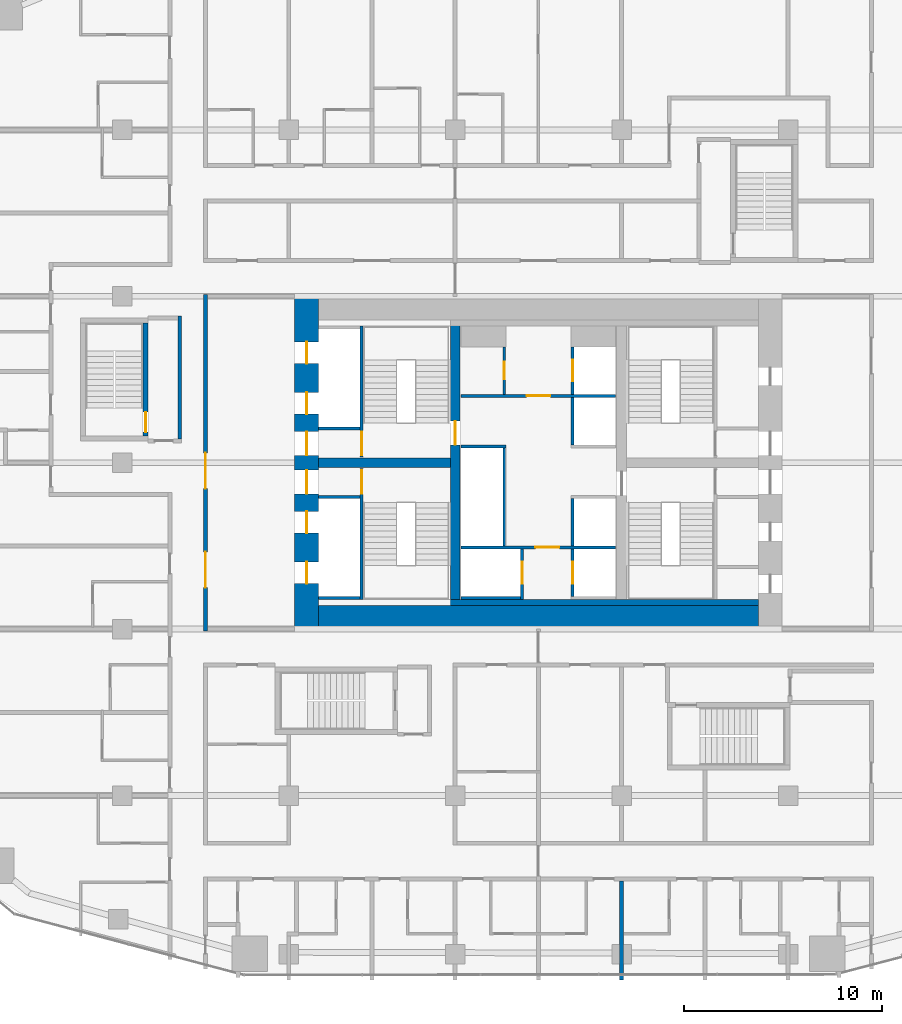
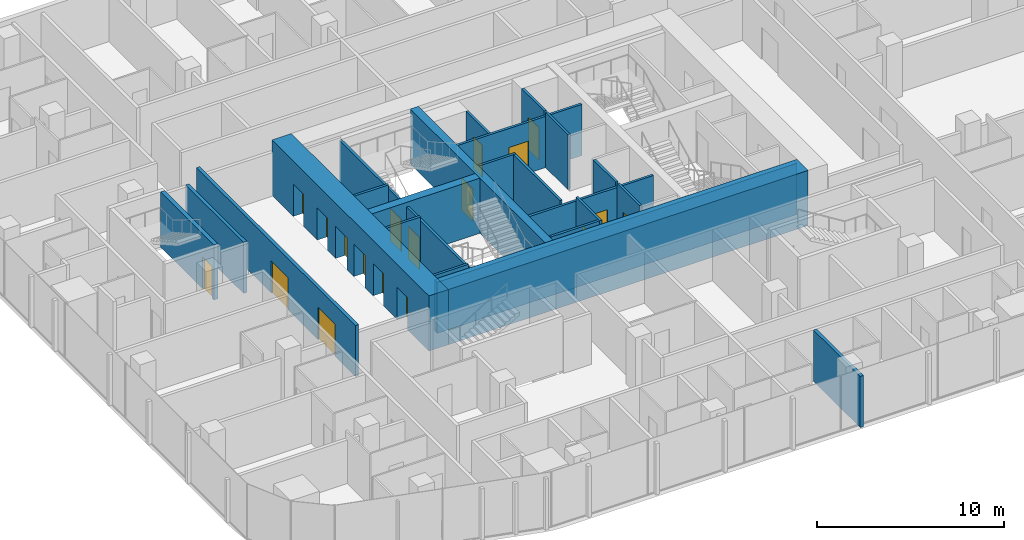
# One storey, part 18 of 26: 25 walls, 18 doors, 18 openings.
"""IFC4 building model written with IfcOpenShell, lengths in metres."""

from ifc_helpers import new_model, si_unit, direction, frame, frame_2d, origin, place, context, subcontext, project, spatial, rectangle, extrude, material, layer, layer_set, type_object, element, fill, save


model = new_model("IFC4")

# Units and contexts
model_context = context("Model", 3, precision=1e-05, world=origin(), true_north=direction((0.0, 1.0)))
body_context = subcontext(model_context, "Body", "Model", "MODEL_VIEW")
ifc_project = project(units=[si_unit("LENGTHUNIT", "METRE"), si_unit("AREAUNIT", "SQUARE_METRE"), si_unit("VOLUMEUNIT", "CUBIC_METRE"), si_unit("PLANEANGLEUNIT", "RADIAN"), si_unit("MASSUNIT", "GRAM", prefix="KILO")], contexts=[model_context])

# Site, building, storey
site_placement = place(None, origin())
site = spatial("IfcSite", under=ifc_project, at=site_placement, CompositionType="ELEMENT")
building_placement = place(site_placement, origin())
building = spatial("IfcBuilding", under=site, at=building_placement, Name="Marenta Gate Hotel Tower", CompositionType="ELEMENT")
storey_placement = place(building_placement, frame((0.0, 0.0, 43.699951171875)))
storey = spatial("IfcBuildingStorey", under=building, at=storey_placement, Name="L08", CompositionType="ELEMENT", Elevation=43.699951171875)

# Wall, openings, doors
ifc_material_1 = material(Name="Concrete blockwork", Category="masonry")
ifc_layer_1 = layer(ifc_material_1, 0.199951171875)
ifc_layer_set_1 = layer_set([ifc_layer_1], Name="Concrete blockwork")
wall_type_1 = type_object("IfcWallType", Name="Core boundary wall 200 REI 180", PredefinedType="PARTITIONING", material=ifc_layer_set_1)
wall_1_placement = place(storey_placement, frame((-16.800048828125, -0.10009765625, 0.0), z_axis=(0.0, 0.0, 1.0), x_axis=(0.0, 1.0, 0.0)))
wall_1 = element("IfcWall", 1, at=wall_1_placement, inside=storey, type_object=wall_type_1, Name="L08-CP-BW-W", PredefinedType="PARTITIONING", context=body_context, shape_type="SweptSolid", body=[
    extrude(rectangle(XDim=17.0, YDim=0.199951171875, at=frame_2d((8.5, 0.0))), origin(), (0.0, 0.0, 1.0), 3.340087890625),
])
opening_1_placement = place(wall_1_placement, frame((2.199951171875, 0.0, 0.0)))
opening_1 = element("IfcOpeningElement", 2, at=opening_1_placement, cuts=wall_1, Name="Opening ED-Wa-B", PredefinedType="OPENING", context=body_context, shape_type="SweptSolid", body=[
    extrude(rectangle(XDim=1.800048828125, YDim=2.10009765625, at=frame_2d((0.89990234375, 1.050048828125))), frame((0.0, 0.10009765625, 0.0), z_axis=(0.0, -1.0, 0.0), x_axis=(1.0, 0.0, 0.0)), (0.0, 0.0, 1.0), 0.199951171875),
])
opening_2_placement = place(wall_1_placement, frame((7.199951171875, 0.0, 0.0)))
opening_2 = element("IfcOpeningElement", 3, at=opening_2_placement, cuts=wall_1, Name="Opening ED-Wb-B", PredefinedType="OPENING", context=body_context, shape_type="SweptSolid", body=[
    extrude(rectangle(XDim=1.800048828125, YDim=2.10009765625, at=frame_2d((0.89990234375, 1.050048828125))), frame((0.0, 0.10009765625, 0.0), z_axis=(0.0, -1.0, 0.0), x_axis=(1.0, 0.0, 0.0)), (0.0, 0.0, 1.0), 0.199951171875),
])
ifc_material_2 = material(Name="Steel", Category="steel")
door_type_1 = type_object("IfcDoorType", Name="Core lobby entrance door 1800x2100 EI 60", OperationType="DOUBLE_DOOR_SINGLE_SWING", PredefinedType="DOOR", material=ifc_material_2)
door_1_placement = place(opening_1_placement, origin())
door_1 = element("IfcDoor", 4, at=door_1_placement, inside=storey, type_object=door_type_1, Name="ED-Wa-B", OperationType="DOUBLE_DOOR_SINGLE_SWING", OverallHeight=2.10009765625, OverallWidth=1.800048828125, PredefinedType="DOOR", context=body_context, shape_type="SweptSolid", body=[
    extrude(rectangle(XDim=1.800048828125, YDim=2.10009765625, at=frame_2d((0.89990234375, 1.050048828125))), frame((0.0, 0.02490234375, 0.0), z_axis=(0.0, -1.0, 0.0), x_axis=(1.0, 0.0, 0.0)), (0.0, 0.0, 1.0), 0.050048828125),
])
fill(opening_1, door_1)
door_2_placement = place(opening_2_placement, origin())
door_2 = element("IfcDoor", 5, at=door_2_placement, inside=storey, type_object=door_type_1, Name="ED-Wb-B", OperationType="DOUBLE_DOOR_SINGLE_SWING", OverallHeight=2.10009765625, OverallWidth=1.800048828125, PredefinedType="DOOR", context=body_context, shape_type="SweptSolid", body=[
    extrude(rectangle(XDim=1.800048828125, YDim=2.10009765625, at=frame_2d((0.89990234375, 1.050048828125))), frame((0.0, 0.02490234375, 0.0), z_axis=(0.0, -1.0, 0.0), x_axis=(1.0, 0.0, 0.0)), (0.0, 0.0, 1.0), 0.050048828125),
])
fill(opening_2, door_2)

# Wall
ifc_material_3 = material(Name="Concrete C40", Category="concrete")
ifc_layer_2 = layer(ifc_material_3, 0.300048828125)
ifc_layer_set_2 = layer_set([ifc_layer_2], Name="Concrete C40")
wall_type_2 = type_object("IfcWallType", Name="Core lining wall 300 REI 180", PredefinedType="PARTITIONING", material=ifc_layer_set_2)
wall_2_placement = place(storey_placement, frame((-11.10009765625, 1.35009765625, 0.0), z_axis=(0.0, 0.0, 1.0), x_axis=(1.0, 0.0, 0.0)))
element("IfcWall", 6, at=wall_2_placement, inside=storey, type_object=wall_type_2, Name="L08-CP-LN-S", PredefinedType="PARTITIONING", context=body_context, shape_type="SweptSolid", body=[
    extrude(rectangle(XDim=22.2001953125, YDim=0.300048828125, at=frame_2d((11.10009765625, 0.0))), origin(), (0.0, 0.0, 1.0), 3.340087890625),
])

# Wall, opening, door
ifc_material_4 = material(Name="Concrete blockwork", Category="masonry")
ifc_layer_3 = layer(ifc_material_4, 0.14990234375)
ifc_layer_set_3 = layer_set([ifc_layer_3], Name="Concrete blockwork")
wall_type_3 = type_object("IfcWallType", Name="Core lobby partition 150 REI 180", PredefinedType="PARTITIONING", material=ifc_layer_set_3)
wall_3_placement = place(storey_placement, frame((-3.89990234375, 4.125, 0.0), z_axis=(0.0, 0.0, 1.0), x_axis=(1.0, 0.0, 0.0)))
wall_3 = element("IfcWall", 7, at=wall_3_placement, inside=storey, type_object=wall_type_3, Name="L08-CP-CW-S", PredefinedType="PARTITIONING", context=body_context, shape_type="SweptSolid", body=[
    extrude(rectangle(XDim=7.7998046875, YDim=0.14990234375, at=frame_2d((3.89990234375, 0.0))), origin(), (0.0, 0.0, 1.0), 3.340087890625),
])
opening_3_placement = place(wall_3_placement, frame((3.75, 0.0, 0.0)))
opening_3 = element("IfcOpeningElement", 8, at=opening_3_placement, cuts=wall_3, Name="Opening FD-FFS", PredefinedType="OPENING", context=body_context, shape_type="SweptSolid", body=[
    extrude(rectangle(XDim=1.199951171875, YDim=2.10009765625, at=frame_2d((0.60009765625, 1.050048828125))), frame((0.0, 0.074951171875, 0.0), z_axis=(0.0, -1.0, 0.0), x_axis=(1.0, 0.0, 0.0)), (0.0, 0.0, 1.0), 0.14990234375),
])
ifc_material_5 = material(Name="Steel", Category="steel")
door_type_2 = type_object("IfcDoorType", Name="Core lobby door 1200x2100 FD60", OperationType="SINGLE_SWING_LEFT", PredefinedType="DOOR", material=ifc_material_5)
door_3_placement = place(opening_3_placement, origin())
door_3 = element("IfcDoor", 9, at=door_3_placement, inside=storey, type_object=door_type_2, Name="FD-FFS", OperationType="SINGLE_SWING_LEFT", OverallHeight=2.10009765625, OverallWidth=1.199951171875, PredefinedType="DOOR", context=body_context, shape_type="SweptSolid", body=[
    extrude(rectangle(XDim=1.199951171875, YDim=2.10009765625, at=frame_2d((0.60009765625, 1.050048828125))), frame((0.0, 0.02490234375, 0.0), z_axis=(0.0, -1.0, 0.0), x_axis=(1.0, 0.0, 0.0)), (0.0, 0.0, 1.0), 0.050048828125),
])
fill(opening_3, door_3)

wall_4_placement = place(storey_placement, frame((-3.89990234375, 11.77490234375, 0.0), z_axis=(0.0, 0.0, 1.0), x_axis=(1.0, 0.0, 0.0)))
wall_4 = element("IfcWall", 10, at=wall_4_placement, inside=storey, type_object=wall_type_3, Name="L08-CP-CW-N", PredefinedType="PARTITIONING", context=body_context, shape_type="SweptSolid", body=[
    extrude(rectangle(XDim=7.7998046875, YDim=0.14990234375, at=frame_2d((3.89990234375, 0.0))), origin(), (0.0, 0.0, 1.0), 3.340087890625),
])
opening_4_placement = place(wall_4_placement, frame((3.300048828125, 0.0, 0.0)))
opening_4 = element("IfcOpeningElement", 11, at=opening_4_placement, cuts=wall_4, Name="Opening FD-FFN", PredefinedType="OPENING", context=body_context, shape_type="SweptSolid", body=[
    extrude(rectangle(XDim=1.199951171875, YDim=2.10009765625, at=frame_2d((0.60009765625, 1.050048828125))), frame((0.0, 0.074951171875, 0.0), z_axis=(0.0, -1.0, 0.0), x_axis=(1.0, 0.0, 0.0)), (0.0, 0.0, 1.0), 0.14990234375),
])
door_4_placement = place(opening_4_placement, origin())
door_4 = element("IfcDoor", 12, at=door_4_placement, inside=storey, type_object=door_type_2, Name="FD-FFN", OperationType="SINGLE_SWING_LEFT", OverallHeight=2.10009765625, OverallWidth=1.199951171875, PredefinedType="DOOR", context=body_context, shape_type="SweptSolid", body=[
    extrude(rectangle(XDim=1.199951171875, YDim=2.10009765625, at=frame_2d((0.60009765625, 1.050048828125))), frame((0.0, 0.02490234375, 0.0), z_axis=(0.0, -1.0, 0.0), x_axis=(1.0, 0.0, 0.0)), (0.0, 0.0, 1.0), 0.050048828125),
])
fill(opening_4, door_4)

ifc_material_6 = material(Name="Concrete blockwork", Category="masonry")
ifc_layer_4 = layer(ifc_material_6, 0.14990234375)
ifc_layer_set_4 = layer_set([ifc_layer_4], Name="Concrete blockwork")
wall_type_4 = type_object("IfcWallType", Name="Core room partition 150 REI 180", PredefinedType="PARTITIONING", material=ifc_layer_set_4)
wall_5_placement = place(storey_placement, frame((-1.72509765625, 11.85009765625, 0.0), z_axis=(0.0, 0.0, 1.0), x_axis=(0.0, 1.0, 0.0)))
wall_5 = element("IfcWall", 13, at=wall_5_placement, inside=storey, type_object=wall_type_4, Name="L08-CP-CW-W-riser-front", PredefinedType="PARTITIONING", context=body_context, shape_type="SweptSolid", body=[
    extrude(rectangle(XDim=2.39990234375, YDim=0.14990234375, at=frame_2d((1.199951171875, 0.0))), origin(), (0.0, 0.0, 1.0), 3.340087890625),
])
opening_5_placement = place(wall_5_placement, frame((0.75, 0.0, 0.0)))
opening_5 = element("IfcOpeningElement", 14, at=opening_5_placement, cuts=wall_5, Name="Opening RD-CRISER", PredefinedType="OPENING", context=body_context, shape_type="SweptSolid", body=[
    extrude(rectangle(XDim=0.89990234375, YDim=2.10009765625, at=frame_2d((0.449951171875, 1.050048828125))), frame((0.0, 0.074951171875, 0.0), z_axis=(0.0, -1.0, 0.0), x_axis=(1.0, 0.0, 0.0)), (0.0, 0.0, 1.0), 0.14990234375),
])
ifc_material_7 = material(Name="Steel", Category="steel")
door_type_3 = type_object("IfcDoorType", Name="Core riser door 900x2100 FD60", OperationType="SINGLE_SWING_LEFT", PredefinedType="DOOR", material=ifc_material_7)
door_5_placement = place(opening_5_placement, origin())
door_5 = element("IfcDoor", 15, at=door_5_placement, inside=storey, type_object=door_type_3, Name="RD-CRISER", OperationType="SINGLE_SWING_LEFT", OverallHeight=2.10009765625, OverallWidth=0.89990234375, PredefinedType="DOOR", context=body_context, shape_type="SweptSolid", body=[
    extrude(rectangle(XDim=0.89990234375, YDim=2.10009765625, at=frame_2d((0.449951171875, 1.050048828125))), frame((0.0, 0.02490234375, 0.0), z_axis=(0.0, -1.0, 0.0), x_axis=(1.0, 0.0, 0.0)), (0.0, 0.0, 1.0), 0.050048828125),
])
fill(opening_5, door_5)

# Walls
ifc_material_8 = material(Name="Concrete C40", Category="concrete")
ifc_layer_5 = layer(ifc_material_8, 0.14990234375)
ifc_layer_set_5 = layer_set([ifc_layer_5], Name="Concrete C40")
wall_type_5 = type_object("IfcWallType", Name="Core shaft wall 150 REI 180", PredefinedType="SHEAR", material=ifc_layer_set_5)
for number, where, z_axis, x_axis, name in (
    (16, (-11.10009765625, 6.675048828125, 0.0), (0.0, 0.0, 1.0), (1.0, 0.0, 0.0), "L08-SHF-SW-WS-2"),
    (17, (-11.10009765625, 1.574951171875, 0.0), (0.0, 0.0, 1.0), (1.0, 0.0, 0.0), "L08-SHF-SW-WS-5"),
    (18, (-11.10009765625, 10.125, 0.0), (0.0, 0.0, 1.0), (1.0, 0.0, 0.0), "L08-SHF-SW-WN-2"),
):
    element("IfcWall", number, at=place(storey_placement, frame(where, z_axis=z_axis, x_axis=x_axis)), inside=storey, type_object=wall_type_5, Name=name, PredefinedType="SHEAR", context=body_context, shape_type="SweptSolid", body=[
        extrude(rectangle(XDim=2.10009765625, YDim=0.14990234375, at=frame_2d((1.050048828125, 0.0))), origin(), (0.0, 0.0, 1.0), 3.60009765625),
    ])

# Wall, opening, door
wall_6_placement = place(storey_placement, frame((-0.824951171875, 1.5, 0.0), z_axis=(0.0, 0.0, 1.0), x_axis=(0.0, 1.0, 0.0)))
wall_6 = element("IfcWall", 19, at=wall_6_placement, inside=storey, type_object=wall_type_5, Name="L08-SHF-CW-W-ff", PredefinedType="SHEAR", context=body_context, shape_type="SweptSolid", body=[
    extrude(rectangle(XDim=2.550048828125, YDim=0.14990234375, at=frame_2d((1.27490234375, 0.0))), origin(), (0.0, 0.0, 1.0), 3.60009765625),
])
opening_6_placement = place(wall_6_placement, frame((0.800048828125, 0.0, 0.0)))
opening_6 = element("IfcOpeningElement", 20, at=opening_6_placement, cuts=wall_6, Name="Opening LD-FF1", PredefinedType="OPENING", context=body_context, shape_type="SweptSolid", body=[
    extrude(rectangle(XDim=1.10009765625, YDim=2.10009765625, at=frame_2d((0.550048828125, 1.050048828125))), frame((0.0, 0.074951171875, 0.0), z_axis=(0.0, -1.0, 0.0), x_axis=(1.0, 0.0, 0.0)), (0.0, 0.0, 1.0), 0.14990234375),
])
ifc_material_9 = material(Name="Steel", Category="steel")
door_type_4 = type_object("IfcDoorType", Name="Core lift landing door 1100x2100 E 60", OperationType="SLIDING_TO_LEFT", PredefinedType="DOOR", material=ifc_material_9)
door_6_placement = place(opening_6_placement, origin())
door_6 = element("IfcDoor", 21, at=door_6_placement, inside=storey, type_object=door_type_4, Name="LD-FF1", OperationType="SLIDING_TO_LEFT", OverallHeight=2.10009765625, OverallWidth=1.10009765625, PredefinedType="DOOR", context=body_context, shape_type="SweptSolid", body=[
    extrude(rectangle(XDim=1.10009765625, YDim=2.10009765625, at=frame_2d((0.550048828125, 1.050048828125))), frame((0.0, 0.02490234375, 0.0), z_axis=(0.0, -1.0, 0.0), x_axis=(1.0, 0.0, 0.0)), (0.0, 0.0, 1.0), 0.050048828125),
])
fill(opening_6, door_6)

# Walls
wall_7_placement = place(storey_placement, frame((-3.89990234375, 1.574951171875, 0.0), z_axis=(0.0, 0.0, 1.0), x_axis=(1.0, 0.0, 0.0)))
element("IfcWall", 22, at=wall_7_placement, inside=storey, type_object=wall_type_5, Name="L08-SHF-CW-W-ffs", PredefinedType="SHEAR", context=body_context, shape_type="SweptSolid", body=[
    extrude(rectangle(XDim=3.0, YDim=0.14990234375, at=frame_2d((1.5, 0.0))), origin(), (0.0, 0.0, 1.0), 3.60009765625),
])
wall_8_placement = place(storey_placement, frame((-1.72509765625, 4.199951171875, 0.0), z_axis=(0.0, 0.0, 1.0), x_axis=(0.0, 1.0, 0.0)))
element("IfcWall", 23, at=wall_8_placement, inside=storey, type_object=wall_type_5, Name="L08-SHF-CW-W-front", PredefinedType="SHEAR", context=body_context, shape_type="SweptSolid", body=[
    extrude(rectangle(XDim=4.949951171875, YDim=0.14990234375, at=frame_2d((2.47509765625, 0.0))), origin(), (0.0, 0.0, 1.0), 3.60009765625),
])
wall_9_placement = place(storey_placement, frame((-3.89990234375, 9.22509765625, 0.0), z_axis=(0.0, 0.0, 1.0), x_axis=(1.0, 0.0, 0.0)))
element("IfcWall", 24, at=wall_9_placement, inside=storey, type_object=wall_type_5, Name="L08-SHF-CW-W-sep", PredefinedType="SHEAR", context=body_context, shape_type="SweptSolid", body=[
    extrude(rectangle(XDim=2.25, YDim=0.14990234375, at=frame_2d((1.125, 0.0))), origin(), (0.0, 0.0, 1.0), 3.60009765625),
])

# Wall, opening, door
wall_10_placement = place(storey_placement, frame((1.72509765625, 1.64990234375, 0.0), z_axis=(0.0, 0.0, 1.0), x_axis=(0.0, 1.0, 0.0)))
wall_10 = element("IfcWall", 25, at=wall_10_placement, inside=storey, type_object=wall_type_5, Name="L08-SHF-CE-S-ls", PredefinedType="SHEAR", context=body_context, shape_type="SweptSolid", body=[
    extrude(rectangle(XDim=2.400146484375, YDim=0.14990234375, at=frame_2d((1.2001953125, 0.0))), origin(), (0.0, 0.0, 1.0), 3.60009765625),
])
opening_7_placement = place(wall_10_placement, frame((0.64990234375, 0.0, 0.0)))
opening_7 = element("IfcOpeningElement", 26, at=opening_7_placement, cuts=wall_10, Name="Opening LD-SV1", PredefinedType="OPENING", context=body_context, shape_type="SweptSolid", body=[
    extrude(rectangle(XDim=1.10009765625, YDim=2.10009765625, at=frame_2d((0.550048828125, 1.050048828125))), frame((0.0, 0.074951171875, 0.0), z_axis=(0.0, -1.0, 0.0), x_axis=(1.0, 0.0, 0.0)), (0.0, 0.0, 1.0), 0.14990234375),
])
door_7_placement = place(opening_7_placement, origin())
door_7 = element("IfcDoor", 27, at=door_7_placement, inside=storey, type_object=door_type_4, Name="LD-SV1", OperationType="SLIDING_TO_LEFT", OverallHeight=2.10009765625, OverallWidth=1.10009765625, PredefinedType="DOOR", context=body_context, shape_type="SweptSolid", body=[
    extrude(rectangle(XDim=1.10009765625, YDim=2.10009765625, at=frame_2d((0.550048828125, 1.050048828125))), frame((0.0, 0.02490234375, 0.0), z_axis=(0.0, -1.0, 0.0), x_axis=(1.0, 0.0, 0.0)), (0.0, 0.0, 1.0), 0.050048828125),
])
fill(opening_7, door_7)

wall_11_placement = place(storey_placement, frame((1.72509765625, 11.85009765625, 0.0), z_axis=(0.0, 0.0, 1.0), x_axis=(0.0, 1.0, 0.0)))
wall_11 = element("IfcWall", 28, at=wall_11_placement, inside=storey, type_object=wall_type_5, Name="L08-SHF-CE-N-front2", PredefinedType="SHEAR", context=body_context, shape_type="SweptSolid", body=[
    extrude(rectangle(XDim=2.39990234375, YDim=0.14990234375, at=frame_2d((1.199951171875, 0.0))), origin(), (0.0, 0.0, 1.0), 3.60009765625),
])
opening_8_placement = place(wall_11_placement, frame((0.64990234375, 0.0, 0.0)))
opening_8 = element("IfcOpeningElement", 29, at=opening_8_placement, cuts=wall_11, Name="Opening LD-FF2", PredefinedType="OPENING", context=body_context, shape_type="SweptSolid", body=[
    extrude(rectangle(XDim=1.10009765625, YDim=2.10009765625, at=frame_2d((0.550048828125, 1.050048828125))), frame((0.0, 0.074951171875, 0.0), z_axis=(0.0, -1.0, 0.0), x_axis=(1.0, 0.0, 0.0)), (0.0, 0.0, 1.0), 0.14990234375),
])
door_8_placement = place(opening_8_placement, origin())
door_8 = element("IfcDoor", 30, at=door_8_placement, inside=storey, type_object=door_type_4, Name="LD-FF2", OperationType="SLIDING_TO_LEFT", OverallHeight=2.10009765625, OverallWidth=1.10009765625, PredefinedType="DOOR", context=body_context, shape_type="SweptSolid", body=[
    extrude(rectangle(XDim=1.10009765625, YDim=2.10009765625, at=frame_2d((0.550048828125, 1.050048828125))), frame((0.0, 0.02490234375, 0.0), z_axis=(0.0, -1.0, 0.0), x_axis=(1.0, 0.0, 0.0)), (0.0, 0.0, 1.0), 0.050048828125),
])
fill(opening_8, door_8)

# Walls
wall_12_placement = place(storey_placement, frame((1.72509765625, 4.199951171875, 0.0), z_axis=(0.0, 0.0, 1.0), x_axis=(0.0, 1.0, 0.0)))
element("IfcWall", 31, at=wall_12_placement, inside=storey, type_object=wall_type_5, Name="L08-SHF-CE-front-1", PredefinedType="SHEAR", context=body_context, shape_type="SweptSolid", body=[
    extrude(rectangle(XDim=2.400146484375, YDim=0.14990234375, at=frame_2d((1.2001953125, 0.0))), origin(), (0.0, 0.0, 1.0), 3.60009765625),
])
wall_13_placement = place(storey_placement, frame((1.72509765625, 9.300048828125, 0.0), z_axis=(0.0, 0.0, 1.0), x_axis=(0.0, 1.0, 0.0)))
element("IfcWall", 32, at=wall_13_placement, inside=storey, type_object=wall_type_5, Name="L08-SHF-CE-front-2", PredefinedType="SHEAR", context=body_context, shape_type="SweptSolid", body=[
    extrude(rectangle(XDim=2.39990234375, YDim=0.14990234375, at=frame_2d((1.199951171875, 0.0))), origin(), (0.0, 0.0, 1.0), 3.60009765625),
])

# Wall, opening, door
ifc_material_10 = material(Name="Concrete C40", Category="concrete")
ifc_layer_6 = layer(ifc_material_10, 0.14990234375)
ifc_layer_set_6 = layer_set([ifc_layer_6], Name="Concrete C40")
wall_type_6 = type_object("IfcWallType", Name="Core stair enclosure wall 150 REI 180", PredefinedType="SHEAR", material=ifc_layer_set_6)
wall_14_placement = place(storey_placement, frame((-8.925048828125, 1.5, 0.0), z_axis=(0.0, 0.0, 1.0), x_axis=(0.0, 1.0, 0.0)))
wall_14 = element("IfcWall", 33, at=wall_14_placement, inside=storey, type_object=wall_type_6, Name="L08-SHF-SW-WS-3", PredefinedType="SHEAR", context=body_context, shape_type="SweptSolid", body=[
    extrude(rectangle(XDim=6.60009765625, YDim=0.14990234375, at=frame_2d((3.300048828125, 0.0))), origin(), (0.0, 0.0, 1.0), 3.340087890625),
])
opening_9_placement = place(wall_14_placement, frame((5.324951171875, 0.0, 0.0)))
opening_9 = element("IfcOpeningElement", 34, at=opening_9_placement, cuts=wall_14, Name="Opening SD-WS", PredefinedType="OPENING", context=body_context, shape_type="SweptSolid", body=[
    extrude(rectangle(XDim=1.199951171875, YDim=2.10009765625, at=frame_2d((0.60009765625, 1.050048828125))), frame((0.0, 0.074951171875, 0.0), z_axis=(0.0, -1.0, 0.0), x_axis=(1.0, 0.0, 0.0)), (0.0, 0.0, 1.0), 0.14990234375),
])
ifc_material_11 = material(Name="Steel", Category="steel")
door_type_5 = type_object("IfcDoorType", Name="Core stair door 1200x2100 FD60", OperationType="SINGLE_SWING_LEFT", PredefinedType="DOOR", material=ifc_material_11)
door_9_placement = place(opening_9_placement, origin())
door_9 = element("IfcDoor", 35, at=door_9_placement, inside=storey, type_object=door_type_5, Name="SD-WS", OperationType="SINGLE_SWING_LEFT", OverallHeight=2.10009765625, OverallWidth=1.199951171875, PredefinedType="DOOR", context=body_context, shape_type="SweptSolid", body=[
    extrude(rectangle(XDim=1.199951171875, YDim=2.10009765625, at=frame_2d((0.60009765625, 1.050048828125))), frame((0.0, 0.02490234375, 0.0), z_axis=(0.0, -1.0, 0.0), x_axis=(1.0, 0.0, 0.0)), (0.0, 0.0, 1.0), 0.050048828125),
])
fill(opening_9, door_9)

wall_15_placement = place(storey_placement, frame((-8.925048828125, 8.699951171875, 0.0), z_axis=(0.0, 0.0, 1.0), x_axis=(0.0, 1.0, 0.0)))
wall_15 = element("IfcWall", 36, at=wall_15_placement, inside=storey, type_object=wall_type_6, Name="L08-SHF-SW-WN-3", PredefinedType="SHEAR", context=body_context, shape_type="SweptSolid", body=[
    extrude(rectangle(XDim=6.60009765625, YDim=0.14990234375, at=frame_2d((3.300048828125, 0.0))), origin(), (0.0, 0.0, 1.0), 3.340087890625),
])
opening_10_placement = place(wall_15_placement, frame((0.074951171875, 0.0, 0.0)))
opening_10 = element("IfcOpeningElement", 37, at=opening_10_placement, cuts=wall_15, Name="Opening SD-WN", PredefinedType="OPENING", context=body_context, shape_type="SweptSolid", body=[
    extrude(rectangle(XDim=1.199951171875, YDim=2.10009765625, at=frame_2d((0.60009765625, 1.050048828125))), frame((0.0, 0.074951171875, 0.0), z_axis=(0.0, -1.0, 0.0), x_axis=(1.0, 0.0, 0.0)), (0.0, 0.0, 1.0), 0.14990234375),
])
door_10_placement = place(opening_10_placement, origin())
door_10 = element("IfcDoor", 38, at=door_10_placement, inside=storey, type_object=door_type_5, Name="SD-WN", OperationType="SINGLE_SWING_LEFT", OverallHeight=2.10009765625, OverallWidth=1.199951171875, PredefinedType="DOOR", context=body_context, shape_type="SweptSolid", body=[
    extrude(rectangle(XDim=1.199951171875, YDim=2.10009765625, at=frame_2d((0.60009765625, 1.050048828125))), frame((0.0, 0.02490234375, 0.0), z_axis=(0.0, -1.0, 0.0), x_axis=(1.0, 0.0, 0.0)), (0.0, 0.0, 1.0), 0.050048828125),
])
fill(opening_10, door_10)

# Wall, openings, doors
ifc_material_12 = material(Name="Concrete C80", Category="concrete")
ifc_layer_7 = layer(ifc_material_12, 1.199951171875)
ifc_layer_set_7 = layer_set([ifc_layer_7], Name="Concrete C80")
wall_type_7 = type_object("IfcWallType", Name="Core wall 1200 C80", PredefinedType="SHEAR", material=ifc_layer_set_7)
wall_16_placement = place(storey_placement, frame((-11.699951171875, 0.0, 0.0), z_axis=(0.0, 0.0, 1.0), x_axis=(0.0, 1.0, 0.0)))
wall_16 = element("IfcWall", 39, at=wall_16_placement, inside=storey, type_object=wall_type_7, Name="L08-CORE-W", PredefinedType="SHEAR", context=body_context, shape_type="SweptSolid", body=[
    extrude(rectangle(XDim=16.800048828125, YDim=1.199951171875, at=frame_2d((8.39990234375, 0.0))), origin(), (0.0, 0.0, 1.0), 3.60009765625),
])
opening_11_placement = place(wall_16_placement, frame((2.300048828125, 0.0, 0.0)))
opening_11 = element("IfcOpeningElement", 40, at=opening_11_placement, cuts=wall_16, Name="Opening LD-LR1", PredefinedType="OPENING", context=body_context, shape_type="SweptSolid", body=[
    extrude(rectangle(XDim=1.10009765625, YDim=2.10009765625, at=frame_2d((0.550048828125, 1.050048828125))), frame((0.0, 0.60009765625, 0.0), z_axis=(0.0, -1.0, 0.0), x_axis=(1.0, 0.0, 0.0)), (0.0, 0.0, 1.0), 1.199951171875),
])
opening_12_placement = place(wall_16_placement, frame((4.85009765625, 0.0, 0.0)))
opening_12 = element("IfcOpeningElement", 41, at=opening_12_placement, cuts=wall_16, Name="Opening LD-LR2", PredefinedType="OPENING", context=body_context, shape_type="SweptSolid", body=[
    extrude(rectangle(XDim=1.10009765625, YDim=2.10009765625, at=frame_2d((0.550048828125, 1.050048828125))), frame((0.0, 0.60009765625, 0.0), z_axis=(0.0, -1.0, 0.0), x_axis=(1.0, 0.0, 0.0)), (0.0, 0.0, 1.0), 1.199951171875),
])
opening_13_placement = place(wall_16_placement, frame((6.824951171875, 0.0, 0.0)))
opening_13 = element("IfcOpeningElement", 42, at=opening_13_placement, cuts=wall_16, Name="Opening PD-WS", PredefinedType="OPENING", context=body_context, shape_type="SweptSolid", body=[
    extrude(rectangle(XDim=1.199951171875, YDim=2.10009765625, at=frame_2d((0.60009765625, 1.050048828125))), frame((0.0, 0.60009765625, 0.0), z_axis=(0.0, -1.0, 0.0), x_axis=(1.0, 0.0, 0.0)), (0.0, 0.0, 1.0), 1.199951171875),
])
opening_14_placement = place(wall_16_placement, frame((13.39990234375, 0.0, 0.0)))
opening_14 = element("IfcOpeningElement", 43, at=opening_14_placement, cuts=wall_16, Name="Opening LD-LR4", PredefinedType="OPENING", context=body_context, shape_type="SweptSolid", body=[
    extrude(rectangle(XDim=1.10009765625, YDim=2.10009765625, at=frame_2d((0.550048828125, 1.050048828125))), frame((0.0, 0.60009765625, 0.0), z_axis=(0.0, -1.0, 0.0), x_axis=(1.0, 0.0, 0.0)), (0.0, 0.0, 1.0), 1.199951171875),
])
opening_15_placement = place(wall_16_placement, frame((10.85009765625, 0.0, 0.0)))
opening_15 = element("IfcOpeningElement", 44, at=opening_15_placement, cuts=wall_16, Name="Opening LD-LR3", PredefinedType="OPENING", context=body_context, shape_type="SweptSolid", body=[
    extrude(rectangle(XDim=1.10009765625, YDim=2.10009765625, at=frame_2d((0.550048828125, 1.050048828125))), frame((0.0, 0.60009765625, 0.0), z_axis=(0.0, -1.0, 0.0), x_axis=(1.0, 0.0, 0.0)), (0.0, 0.0, 1.0), 1.199951171875),
])
opening_16_placement = place(wall_16_placement, frame((8.77490234375, 0.0, 0.0)))
opening_16 = element("IfcOpeningElement", 45, at=opening_16_placement, cuts=wall_16, Name="Opening PD-WN", PredefinedType="OPENING", context=body_context, shape_type="SweptSolid", body=[
    extrude(rectangle(XDim=1.199951171875, YDim=2.10009765625, at=frame_2d((0.60009765625, 1.050048828125))), frame((0.0, 0.60009765625, 0.0), z_axis=(0.0, -1.0, 0.0), x_axis=(1.0, 0.0, 0.0)), (0.0, 0.0, 1.0), 1.199951171875),
])
door_11_placement = place(opening_11_placement, origin())
door_11 = element("IfcDoor", 46, at=door_11_placement, inside=storey, type_object=door_type_4, Name="LD-LR1", OperationType="SLIDING_TO_LEFT", OverallHeight=2.10009765625, OverallWidth=1.10009765625, PredefinedType="DOOR", context=body_context, shape_type="SweptSolid", body=[
    extrude(rectangle(XDim=1.10009765625, YDim=2.10009765625, at=frame_2d((0.550048828125, 1.050048828125))), frame((0.0, 0.02490234375, 0.0), z_axis=(0.0, -1.0, 0.0), x_axis=(1.0, 0.0, 0.0)), (0.0, 0.0, 1.0), 0.050048828125),
])
fill(opening_11, door_11)
door_12_placement = place(opening_12_placement, origin())
door_12 = element("IfcDoor", 47, at=door_12_placement, inside=storey, type_object=door_type_4, Name="LD-LR2", OperationType="SLIDING_TO_LEFT", OverallHeight=2.10009765625, OverallWidth=1.10009765625, PredefinedType="DOOR", context=body_context, shape_type="SweptSolid", body=[
    extrude(rectangle(XDim=1.10009765625, YDim=2.10009765625, at=frame_2d((0.550048828125, 1.050048828125))), frame((0.0, 0.02490234375, 0.0), z_axis=(0.0, -1.0, 0.0), x_axis=(1.0, 0.0, 0.0)), (0.0, 0.0, 1.0), 0.050048828125),
])
fill(opening_12, door_12)
door_13_placement = place(opening_14_placement, origin())
door_13 = element("IfcDoor", 48, at=door_13_placement, inside=storey, type_object=door_type_4, Name="LD-LR4", OperationType="SLIDING_TO_LEFT", OverallHeight=2.10009765625, OverallWidth=1.10009765625, PredefinedType="DOOR", context=body_context, shape_type="SweptSolid", body=[
    extrude(rectangle(XDim=1.10009765625, YDim=2.10009765625, at=frame_2d((0.550048828125, 1.050048828125))), frame((0.0, 0.02490234375, 0.0), z_axis=(0.0, -1.0, 0.0), x_axis=(1.0, 0.0, 0.0)), (0.0, 0.0, 1.0), 0.050048828125),
])
fill(opening_14, door_13)
door_14_placement = place(opening_15_placement, origin())
door_14 = element("IfcDoor", 49, at=door_14_placement, inside=storey, type_object=door_type_4, Name="LD-LR3", OperationType="SLIDING_TO_LEFT", OverallHeight=2.10009765625, OverallWidth=1.10009765625, PredefinedType="DOOR", context=body_context, shape_type="SweptSolid", body=[
    extrude(rectangle(XDim=1.10009765625, YDim=2.10009765625, at=frame_2d((0.550048828125, 1.050048828125))), frame((0.0, 0.02490234375, 0.0), z_axis=(0.0, -1.0, 0.0), x_axis=(1.0, 0.0, 0.0)), (0.0, 0.0, 1.0), 0.050048828125),
])
fill(opening_15, door_14)
door_15_placement = place(opening_13_placement, origin())
door_15 = element("IfcDoor", 50, at=door_15_placement, inside=storey, type_object=door_type_2, Name="PD-WS", OperationType="SINGLE_SWING_LEFT", OverallHeight=2.10009765625, OverallWidth=1.199951171875, PredefinedType="DOOR", context=body_context, shape_type="SweptSolid", body=[
    extrude(rectangle(XDim=1.199951171875, YDim=2.10009765625, at=frame_2d((0.60009765625, 1.050048828125))), frame((0.0, 0.02490234375, 0.0), z_axis=(0.0, -1.0, 0.0), x_axis=(1.0, 0.0, 0.0)), (0.0, 0.0, 1.0), 0.050048828125),
])
fill(opening_13, door_15)
door_16_placement = place(opening_16_placement, origin())
door_16 = element("IfcDoor", 51, at=door_16_placement, inside=storey, type_object=door_type_2, Name="PD-WN", OperationType="SINGLE_SWING_LEFT", OverallHeight=2.10009765625, OverallWidth=1.199951171875, PredefinedType="DOOR", context=body_context, shape_type="SweptSolid", body=[
    extrude(rectangle(XDim=1.199951171875, YDim=2.10009765625, at=frame_2d((0.60009765625, 1.050048828125))), frame((0.0, 0.02490234375, 0.0), z_axis=(0.0, -1.0, 0.0), x_axis=(1.0, 0.0, 0.0)), (0.0, 0.0, 1.0), 0.050048828125),
])
fill(opening_16, door_16)

# Wall
wall_17_placement = place(storey_placement, frame((-11.10009765625, 0.60009765625, 0.0), z_axis=(0.0, 0.0, 1.0), x_axis=(1.0, 0.0, 0.0)))
element("IfcWall", 52, at=wall_17_placement, inside=storey, type_object=wall_type_7, Name="L08-CORE-S", PredefinedType="SHEAR", context=body_context, shape_type="SweptSolid", body=[
    extrude(rectangle(XDim=22.2001953125, YDim=1.199951171875, at=frame_2d((11.10009765625, 0.0))), origin(), (0.0, 0.0, 1.0), 3.60009765625),
])

# Wall, opening, door
ifc_material_13 = material(Name="Concrete C80", Category="concrete")
ifc_layer_8 = layer(ifc_material_13, 0.5)
ifc_layer_set_8 = layer_set([ifc_layer_8], Name="Concrete C80")
wall_type_8 = type_object("IfcWallType", Name="Core web 500 C80", PredefinedType="SHEAR", material=ifc_layer_set_8)
wall_18_placement = place(storey_placement, frame((-4.199951171875, 1.199951171875, 0.0), z_axis=(0.0, 0.0, 1.0), x_axis=(0.0, 1.0, 0.0)))
wall_18 = element("IfcWall", 53, at=wall_18_placement, inside=storey, type_object=wall_type_8, Name="L08-CORE-W1", PredefinedType="SHEAR", context=body_context, shape_type="SweptSolid", body=[
    extrude(rectangle(XDim=14.400146484375, YDim=0.5, at=frame_2d((7.2001953125, 0.0))), origin(), (0.0, 0.0, 1.0), 3.60009765625),
])
opening_17_placement = place(wall_18_placement, frame((8.10009765625, 0.0, 0.0)))
opening_17 = element("IfcOpeningElement", 54, at=opening_17_placement, cuts=wall_18, Name="Opening WD-W", PredefinedType="OPENING", context=body_context, shape_type="SweptSolid", body=[
    extrude(rectangle(XDim=1.199951171875, YDim=2.10009765625, at=frame_2d((0.60009765625, 1.050048828125))), frame((0.0, 0.25, 0.0), z_axis=(0.0, -1.0, 0.0), x_axis=(1.0, 0.0, 0.0)), (0.0, 0.0, 1.0), 0.5),
])
door_17_placement = place(opening_17_placement, origin())
door_17 = element("IfcDoor", 55, at=door_17_placement, inside=storey, type_object=door_type_5, Name="WD-W", OperationType="SINGLE_SWING_LEFT", OverallHeight=2.10009765625, OverallWidth=1.199951171875, PredefinedType="DOOR", context=body_context, shape_type="SweptSolid", body=[
    extrude(rectangle(XDim=1.199951171875, YDim=2.10009765625, at=frame_2d((0.60009765625, 1.050048828125))), frame((0.0, 0.02490234375, 0.0), z_axis=(0.0, -1.0, 0.0), x_axis=(1.0, 0.0, 0.0)), (0.0, 0.0, 1.0), 0.050048828125),
])
fill(opening_17, door_17)

# Wall
wall_19_placement = place(storey_placement, frame((-11.10009765625, 8.39990234375, 0.0), z_axis=(0.0, 0.0, 1.0), x_axis=(1.0, 0.0, 0.0)))
element("IfcWall", 56, at=wall_19_placement, inside=storey, type_object=wall_type_8, Name="L08-CORE-W3", PredefinedType="SHEAR", context=body_context, shape_type="SweptSolid", body=[
    extrude(rectangle(XDim=6.650146484375, YDim=0.5, at=frame_2d((3.3251953125, 0.0))), origin(), (0.0, 0.0, 1.0), 3.60009765625),
])

# Wall, opening, door
ifc_material_14 = material(Name="Concrete C40", Category="concrete")
ifc_layer_9 = layer(ifc_material_14, 0.25)
ifc_layer_set_9 = layer_set([ifc_layer_9], Name="Concrete C40")
wall_type_9 = type_object("IfcWallType", Name="Remote stair enclosure wall 250 REI 180", PredefinedType="SHEAR", material=ifc_layer_set_9)
wall_20_placement = place(storey_placement, frame((-19.824951171875, 9.75, 0.10009765625), z_axis=(0.0, 0.0, 1.0), x_axis=(0.0, 1.0, 0.0)))
wall_20 = element("IfcWall", 57, at=wall_20_placement, inside=storey, type_object=wall_type_9, Name="L08-RS-Z1-3-W4", PredefinedType="SHEAR", context=body_context, shape_type="SweptSolid", body=[
    extrude(rectangle(XDim=5.699951171875, YDim=0.25, at=frame_2d((2.85009765625, 0.0))), origin(), (0.0, 0.0, 1.0), 3.599853515625),
])
opening_18_placement = place(wall_20_placement, frame((0.199951171875, 0.0, 0.0)))
opening_18 = element("IfcOpeningElement", 58, at=opening_18_placement, cuts=wall_20, Name="Opening VD", PredefinedType="OPENING", context=body_context, shape_type="SweptSolid", body=[
    extrude(rectangle(XDim=1.0, YDim=2.10009765625, at=frame_2d((0.5, 1.050048828125))), frame((0.0, 0.125, 0.0), z_axis=(0.0, -1.0, 0.0), x_axis=(1.0, 0.0, 0.0)), (0.0, 0.0, 1.0), 0.25),
])
ifc_material_15 = material(Name="Steel", Category="steel")
door_type_6 = type_object("IfcDoorType", Name="Stair vestibule door 1000x2100 FD60", OperationType="SINGLE_SWING_LEFT", PredefinedType="DOOR", material=ifc_material_15)
door_18_placement = place(opening_18_placement, origin())
door_18 = element("IfcDoor", 59, at=door_18_placement, inside=storey, type_object=door_type_6, Name="VD", OperationType="SINGLE_SWING_LEFT", OverallHeight=2.10009765625, OverallWidth=1.0, PredefinedType="DOOR", context=body_context, shape_type="SweptSolid", body=[
    extrude(rectangle(XDim=1.0, YDim=2.10009765625, at=frame_2d((0.5, 1.050048828125))), frame((0.0, 0.02490234375, 0.0), z_axis=(0.0, -1.0, 0.0), x_axis=(1.0, 0.0, 0.0)), (0.0, 0.0, 1.0), 0.050048828125),
])
fill(opening_18, door_18)

# Walls
ifc_material_16 = material(Name="Concrete blockwork", Category="masonry")
ifc_layer_10 = layer(ifc_material_16, 0.199951171875)
ifc_layer_set_10 = layer_set([ifc_layer_10], Name="Concrete blockwork")
wall_type_10 = type_object("IfcWallType", Name="Room corridor wall 200 REI 180", PredefinedType="PARTITIONING", material=ifc_layer_set_10)
wall_21_placement = place(storey_placement, frame((-18.10009765625, 9.60009765625, 0.0), z_axis=(0.0, 0.0, 1.0), x_axis=(0.0, 1.0, 0.0)))
element("IfcWall", 60, at=wall_21_placement, inside=storey, type_object=wall_type_10, Name="L08-PTN-W116", PredefinedType="PARTITIONING", context=body_context, shape_type="SweptSolid", body=[
    extrude(rectangle(XDim=6.199951171875, YDim=0.199951171875, at=frame_2d((3.10009765625, 0.0))), origin(), (0.0, 0.0, 1.0), 3.340087890625),
])
ifc_material_17 = material(Name="Gypsum board on steel stud", Category="steel")
ifc_layer_11 = layer(ifc_material_17, 0.199951171875)
ifc_layer_set_11 = layer_set([ifc_layer_11], Name="Gypsum board on steel stud")
wall_type_11 = type_object("IfcWallType", Name="Room party wall 200 EI 60", PredefinedType="PARTITIONING", material=ifc_layer_set_11)
wall_22_placement = place(storey_placement, frame((4.199951171875, -17.699951171875, 0.0), z_axis=(0.0, 0.0, 1.0), x_axis=(0.0, 1.0, 0.0)))
element("IfcWall", 61, at=wall_22_placement, inside=storey, type_object=wall_type_11, Name="L08-PTN-W054", PredefinedType="PARTITIONING", context=body_context, shape_type="SweptSolid", body=[
    extrude(rectangle(XDim=5.0, YDim=0.199951171875, at=frame_2d((2.5, 0.0))), origin(), (0.0, 0.0, 1.0), 3.340087890625),
])

save(model, "model.ifc")
